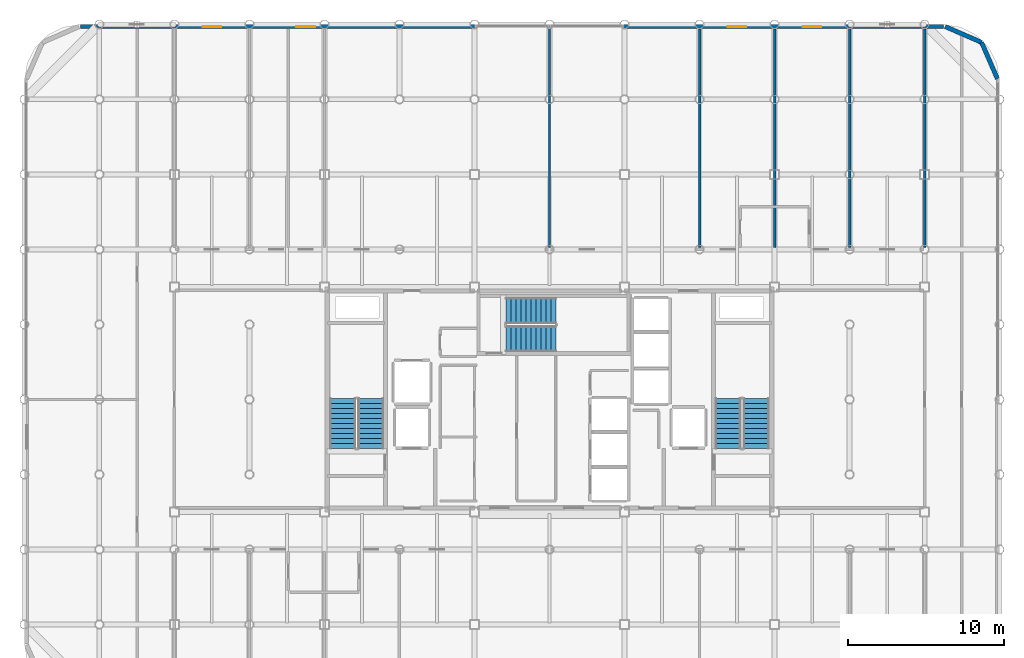
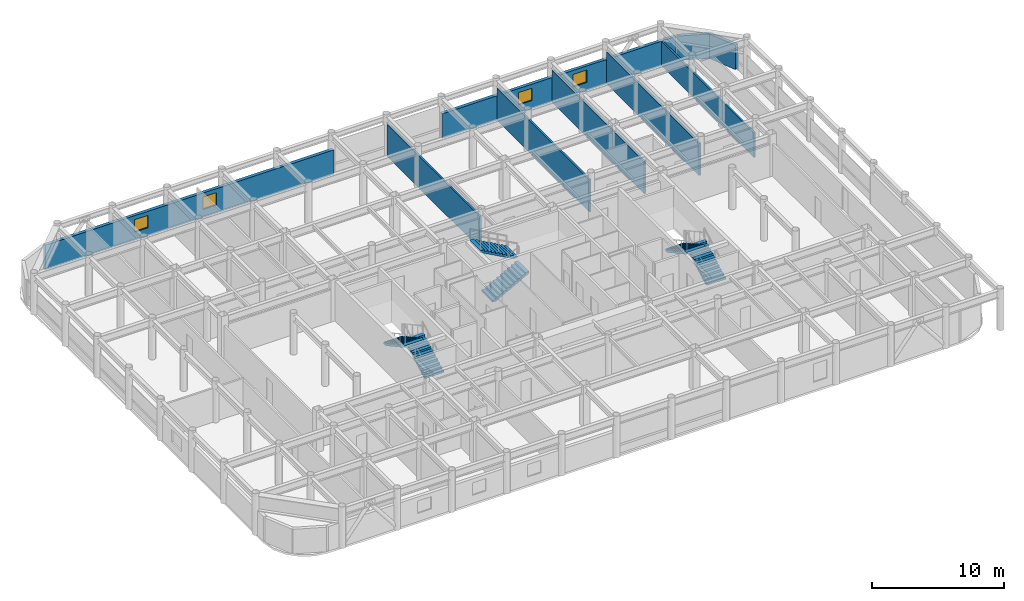
# One storey, part 21 of 22: 9 walls, 6 stair flights, 4 windows, 4 openings, 3 elements without a shape of their own.
"""IFC4 building model written with IfcOpenShell, lengths in metres."""

from ifc_helpers import new_model, si_unit, direction, frame, frame_2d, origin, place, context, subcontext, project, spatial, polyline, rectangle, outline, extrude, material, layer, layer_set, type_object, element, fill, aggregate, save


model = new_model("IFC4")

# Units and contexts
model_context = context("Model", 3, precision=1e-05, world=origin(), true_north=direction((0.0, 1.0)))
body_context = subcontext(model_context, "Body", "Model", "MODEL_VIEW")
ifc_project = project(units=[si_unit("LENGTHUNIT", "METRE"), si_unit("AREAUNIT", "SQUARE_METRE"), si_unit("VOLUMEUNIT", "CUBIC_METRE"), si_unit("PLANEANGLEUNIT", "RADIAN"), si_unit("MASSUNIT", "GRAM", prefix="KILO")], contexts=[model_context])

# Site, building, storey
site_placement = place(None, origin())
site = spatial("IfcSite", under=ifc_project, at=site_placement, CompositionType="ELEMENT")
building_placement = place(site_placement, origin())
building = spatial("IfcBuilding", under=site, at=building_placement, Name="Kallvorn Hotel Tower", CompositionType="ELEMENT")
storey_placement = place(building_placement, frame((0.0, 0.0, 264.64990234375)))
storey = spatial("IfcBuildingStorey", under=building, at=storey_placement, Name="L66", CompositionType="ELEMENT", Elevation=264.64990234375)

# Walls
ifc_material_1 = material(Name="Fire-rated double-layer acoustic gypsum drywall EI 60")
ifc_layer_1 = layer(ifc_material_1, 0.159912109375)
ifc_layer_set_1 = layer_set([ifc_layer_1], Name="WL_DEMISE_160")
wall_type_1 = type_object("IfcWallType", Name="WL_DEMISE_160", PredefinedType="PARTITIONING", material=ifc_layer_set_1)
for number, where, z_axis, x_axis, name in (
    (1, (9.60009765625, 9.719970703125, 0.0), (0.0, 0.0, 1.0), (0.0, 1.0, 0.0), "L66 Suite 6603 Standard King Room Partition"),
    (2, (14.39990234375, 9.719970703125, 0.0), (0.0, 0.0, 1.0), (0.0, 1.0, 0.0), "L66 Suite 6603 Standard King Room Partition"),
    (3, (19.199951171875, 9.719970703125, 0.0), (0.0, 0.0, 1.0), (0.0, 1.0, 0.0), "L66 Suite 6604 Standard King Room Partition"),
):
    element("IfcWall", number, at=place(storey_placement, frame(where, z_axis=z_axis, x_axis=x_axis)), inside=storey, type_object=wall_type_1, Name=name, PredefinedType="PARTITIONING", context=body_context, shape_type="SweptSolid", body=[
        extrude(rectangle(XDim=13.989990234375, YDim=0.159912109375, at=frame_2d((6.9951171875, 0.0))), origin(), (0.0, 0.0, 1.0), 2.97021484375),
    ])
ifc_material_2 = material(Name="Precast basalt-clad insulated concrete wall C40/50", Category="masonry")
ifc_layer_2 = layer(ifc_material_2, 0.280029296875)
ifc_layer_set_2 = layer_set([ifc_layer_2], Name="WL_EXT_LOGGIA_280")
wall_type_2 = type_object("IfcWallType", Name="WL_EXT_LOGGIA_280", PredefinedType="SOLIDWALL", material=ifc_layer_set_2)
wall_1_placement = place(storey_placement, frame((28.657958984375, 20.520751953125, 0.0), z_axis=(0.0, 0.0, 1.0), x_axis=(-0.398792985289, 0.917040977756, 0.0)))
element("IfcWall", 4, at=wall_1_placement, inside=storey, type_object=wall_type_2, Name="L66 Rounded Corner Exterior Wall NE1", PredefinedType="SOLIDWALL", context=body_context, shape_type="SweptSolid", body=[
    extrude(rectangle(XDim=2.536376953125, YDim=0.280029296875, at=frame_2d((1.26806640625, 0.0))), origin(), (0.0, 0.0, 1.0), 2.27001953125),
])
wall_2_placement = place(storey_placement, frame((27.646484375, 22.8466796875, 0.0), z_axis=(0.0, 0.0, 1.0), x_axis=(-0.917060872934, 0.398747232384, 0.0)))
element("IfcWall", 5, at=wall_2_placement, inside=storey, type_object=wall_type_2, Name="L66 Rounded Corner Exterior Wall NE2", PredefinedType="SOLIDWALL", context=body_context, shape_type="SweptSolid", body=[
    extrude(rectangle(XDim=2.5361328125, YDim=0.280029296875, at=frame_2d((1.26806640625, 0.0))), origin(), (0.0, 0.0, 1.0), 2.27001953125),
])

# Wall, openings, windows
wall_3_placement = place(storey_placement, frame((-30.0, 23.860107421875, 0.0), z_axis=(0.0, 0.0, 1.0), x_axis=(1.0, 0.0, 0.0)))
wall_3 = element("IfcWall", 6, at=wall_3_placement, inside=storey, type_object=wall_type_2, Name="L66 Exterior Envelope Wall EW-L66-NW", PredefinedType="SOLIDWALL", context=body_context, shape_type="SweptSolid", body=[
    extrude(rectangle(XDim=25.25, YDim=0.280029296875, at=frame_2d((12.625, 0.0))), origin(), (0.0, 0.0, 1.0), 2.27001953125),
])
opening_1_placement = place(wall_3_placement, frame((7.800048828125, 0.0, 0.75)))
opening_1 = element("IfcOpeningElement", 7, at=opening_1_placement, cuts=wall_3, Name="Opening W06A", PredefinedType="OPENING", context=body_context, shape_type="SweptSolid", body=[
    extrude(rectangle(XDim=1.199951171875, YDim=1.14990234375, at=frame_2d((0.60009765625, 0.574951171875))), frame((0.0, 0.155029296875, 0.0), z_axis=(0.0, -1.0, 0.0), x_axis=(1.0, 0.0, 0.0)), (0.0, 0.0, 1.0), 0.31005859375),
])
opening_2_placement = place(wall_3_placement, frame((13.800048828125, 0.0, 0.75)))
opening_2 = element("IfcOpeningElement", 8, at=opening_2_placement, cuts=wall_3, Name="Opening W06A", PredefinedType="OPENING", context=body_context, shape_type="SweptSolid", body=[
    extrude(rectangle(XDim=1.199951171875, YDim=1.14990234375, at=frame_2d((0.60009765625, 0.574951171875))), frame((0.0, 0.155029296875, 0.0), z_axis=(0.0, -1.0, 0.0), x_axis=(1.0, 0.0, 0.0)), (0.0, 0.0, 1.0), 0.31005859375),
])
ifc_material_3 = material(Name="Triple-glazed low-e acoustic solar-control dark glass", Category="glass")
window_type = type_object("IfcWindowType", Name="WN_HTL_1200x1150", PartitioningType="SINGLE_PANEL", PredefinedType="WINDOW", material=ifc_material_3)
window_1_placement = place(opening_1_placement, origin())
window_1 = element("IfcWindow", 9, at=window_1_placement, inside=storey, type_object=window_type, Name="L66 Guestroom Exterior Window 02", OverallHeight=1.14990234375, OverallWidth=1.199951171875, PartitioningType="SINGLE_PANEL", PredefinedType="WINDOW", context=body_context, shape_type="SweptSolid", body=[
    extrude(rectangle(XDim=1.199951171875, YDim=1.14990234375, at=frame_2d((0.60009765625, 0.574951171875))), frame((0.0, 0.030029296875, 0.0), z_axis=(0.0, -1.0, 0.0), x_axis=(1.0, 0.0, 0.0)), (0.0, 0.0, 1.0), 0.06005859375),
])
fill(opening_1, window_1)
window_2_placement = place(opening_2_placement, origin())
window_2 = element("IfcWindow", 10, at=window_2_placement, inside=storey, type_object=window_type, Name="L66 Guestroom Exterior Window 07", OverallHeight=1.14990234375, OverallWidth=1.199951171875, PartitioningType="SINGLE_PANEL", PredefinedType="WINDOW", context=body_context, shape_type="SweptSolid", body=[
    extrude(rectangle(XDim=1.199951171875, YDim=1.14990234375, at=frame_2d((0.60009765625, 0.574951171875))), frame((0.0, 0.030029296875, 0.0), z_axis=(0.0, -1.0, 0.0), x_axis=(1.0, 0.0, 0.0)), (0.0, 0.0, 1.0), 0.06005859375),
])
fill(opening_2, window_2)

wall_4_placement = place(storey_placement, frame((4.75, 23.860107421875, 0.0), z_axis=(0.0, 0.0, 1.0), x_axis=(1.0, 0.0, 0.0)))
wall_4 = element("IfcWall", 11, at=wall_4_placement, inside=storey, type_object=wall_type_2, Name="L66 Exterior Envelope Wall EW-L66-NE", PredefinedType="SOLIDWALL", context=body_context, shape_type="SweptSolid", body=[
    extrude(rectangle(XDim=20.449951171875, YDim=0.280029296875, at=frame_2d((10.22509765625, 0.0))), origin(), (0.0, 0.0, 1.0), 2.27001953125),
])
opening_3_placement = place(wall_4_placement, frame((6.64990234375, 0.0, 0.75)))
opening_3 = element("IfcOpeningElement", 12, at=opening_3_placement, cuts=wall_4, Name="Opening W06A", PredefinedType="OPENING", context=body_context, shape_type="SweptSolid", body=[
    extrude(rectangle(XDim=1.199951171875, YDim=1.14990234375, at=frame_2d((0.60009765625, 0.574951171875))), frame((0.0, 0.155029296875, 0.0), z_axis=(0.0, -1.0, 0.0), x_axis=(1.0, 0.0, 0.0)), (0.0, 0.0, 1.0), 0.31005859375),
])
opening_4_placement = place(wall_4_placement, frame((11.449951171875, 0.0, 0.75)))
opening_4 = element("IfcOpeningElement", 13, at=opening_4_placement, cuts=wall_4, Name="Opening W06A", PredefinedType="OPENING", context=body_context, shape_type="SweptSolid", body=[
    extrude(rectangle(XDim=1.199951171875, YDim=1.14990234375, at=frame_2d((0.60009765625, 0.574951171875))), frame((0.0, 0.155029296875, 0.0), z_axis=(0.0, -1.0, 0.0), x_axis=(1.0, 0.0, 0.0)), (0.0, 0.0, 1.0), 0.31005859375),
])
window_3_placement = place(opening_3_placement, origin())
window_3 = element("IfcWindow", 14, at=window_3_placement, inside=storey, type_object=window_type, Name="L66 Guestroom Exterior Window 08", OverallHeight=1.14990234375, OverallWidth=1.199951171875, PartitioningType="SINGLE_PANEL", PredefinedType="WINDOW", context=body_context, shape_type="SweptSolid", body=[
    extrude(rectangle(XDim=1.199951171875, YDim=1.14990234375, at=frame_2d((0.60009765625, 0.574951171875))), frame((0.0, 0.030029296875, 0.0), z_axis=(0.0, -1.0, 0.0), x_axis=(1.0, 0.0, 0.0)), (0.0, 0.0, 1.0), 0.06005859375),
])
fill(opening_3, window_3)
window_4_placement = place(opening_4_placement, origin())
window_4 = element("IfcWindow", 15, at=window_4_placement, inside=storey, type_object=window_type, Name="L66 Guestroom Exterior Window 09", OverallHeight=1.14990234375, OverallWidth=1.199951171875, PartitioningType="SINGLE_PANEL", PredefinedType="WINDOW", context=body_context, shape_type="SweptSolid", body=[
    extrude(rectangle(XDim=1.199951171875, YDim=1.14990234375, at=frame_2d((0.60009765625, 0.574951171875))), frame((0.0, 0.030029296875, 0.0), z_axis=(0.0, -1.0, 0.0), x_axis=(1.0, 0.0, 0.0)), (0.0, 0.0, 1.0), 0.06005859375),
])
fill(opening_4, window_4)

# Walls
ifc_material_4 = material(Name="Fire-rated double-layer acoustic gypsum drywall EI 60")
ifc_layer_3 = layer(ifc_material_4, 0.14990234375)
ifc_layer_set_3 = layer_set([ifc_layer_3], Name="WL_PART_150")
wall_type_3 = type_object("IfcWallType", Name="WL_PART_150", PredefinedType="PARTITIONING", material=ifc_layer_set_3)
wall_5_placement = place(storey_placement, frame((0.0, 9.719970703125, 0.0), z_axis=(0.0, 0.0, 1.0), x_axis=(0.0, 1.0, 0.0)))
element("IfcWall", 16, at=wall_5_placement, inside=storey, type_object=wall_type_3, Name="L66 L66 Curated Emerald Craft Retail Boutique 2 Partition", PredefinedType="PARTITIONING", context=body_context, shape_type="SweptSolid", body=[
    extrude(rectangle(XDim=14.074951171875, YDim=0.14990234375, at=frame_2d((7.03759765625, 0.0))), origin(), (0.0, 0.0, 1.0), 2.97021484375),
])
wall_6_placement = place(storey_placement, frame((24.0, 9.719970703125, 0.0), z_axis=(0.0, 0.0, 1.0), x_axis=(0.0, 1.0, 0.0)))
element("IfcWall", 17, at=wall_6_placement, inside=storey, type_object=wall_type_3, Name="L66 L66 High-Zone North-East Pastry Bar Partition", PredefinedType="PARTITIONING", context=body_context, shape_type="SweptSolid", body=[
    extrude(rectangle(XDim=13.989990234375, YDim=0.14990234375, at=frame_2d((6.9951171875, 0.0))), origin(), (0.0, 0.0, 1.0), 2.27001953125),
])

# Stair, stair flights
ifc_material_5 = material(Name="Precast concrete C40/50", Category="concrete")
stair_type = type_object("IfcStairType", Name="STR_CORE_DOGLEG", PredefinedType="HALF_TURN_STAIR", material=ifc_material_5)
stair_1_placement = place(storey_placement, origin())
stair_1 = element("IfcStair", 18, at=stair_1_placement, inside=storey, type_object=stair_type, Name="L66 Exit stair ST1", PredefinedType="HALF_TURN_STAIR")
ifc_material_6 = material(Name="Precast concrete C40/50", Category="concrete")
stair_flight_type = type_object("IfcStairFlightType", Name="FLT_CORE_1660", PredefinedType="STRAIGHT", material=ifc_material_6)
stair_flight_1_placement = place(storey_placement, frame((-11.429931640625, -3.139892578125, 0.0), z_axis=(0.0, 0.0, 1.0), x_axis=(0.0, 1.0, 0.0)))
stair_flight_1 = element("IfcStairFlight", 19, at=stair_flight_1_placement, type_object=stair_flight_type, Name="ST1 flight 1", NumberOfRisers=11, NumberOfTreads=10, PredefinedType="STRAIGHT", RiserHeight=0.175, TreadLength=0.32, context=body_context, shape_type="SweptSolid", body=[
    extrude(outline(polyline([(0.0, 0.0), (0.0, 0.175048828125), (0.320068359375, 0.175048828125), (0.320068359375, 0.35009765625), (0.639892578125, 0.35009765625), (0.639892578125, 0.52490234375), (0.9599609375, 0.52490234375), (0.9599609375, 0.699951171875), (1.280029296875, 0.699951171875), (1.280029296875, 0.875), (1.60009765625, 0.875), (1.60009765625, 1.050048828125), (1.919921875, 1.050048828125), (1.919921875, 1.22509765625), (2.239990234375, 1.22509765625), (2.239990234375, 1.39990234375), (2.56005859375, 1.39990234375), (2.56005859375, 1.574951171875), (2.8798828125, 1.574951171875), (2.8798828125, 1.75), (3.199951171875, 1.75), (3.199951171875, 1.925048828125), (3.199951171875, 1.5791015625), (0.3125, 0.0), (0.0, 0.0)])), frame((0.0, 0.830078125, 0.0), z_axis=(0.0, -1.0, 0.0), x_axis=(1.0, 0.0, 0.0)), (0.0, 0.0, 1.0), 1.659912109375),
])
stair_flight_2_placement = place(storey_placement, frame((-13.22998046875, 0.06005859375, 1.925048828125), z_axis=(0.0, 0.0, 1.0), x_axis=(0.0, -1.0, 0.0)))
stair_flight_2 = element("IfcStairFlight", 20, at=stair_flight_2_placement, type_object=stair_flight_type, Name="ST1 flight 2", NumberOfRisers=11, NumberOfTreads=10, PredefinedType="STRAIGHT", RiserHeight=0.175, TreadLength=0.32, context=body_context, shape_type="SweptSolid", body=[
    extrude(outline(polyline([(0.0, 0.0), (0.0, 0.175048828125), (0.320068359375, 0.175048828125), (0.320068359375, 0.35009765625), (0.639892578125, 0.35009765625), (0.639892578125, 0.52490234375), (0.9599609375, 0.52490234375), (0.9599609375, 0.699951171875), (1.280029296875, 0.699951171875), (1.280029296875, 0.875), (1.60009765625, 0.875), (1.60009765625, 1.050048828125), (1.919921875, 1.050048828125), (1.919921875, 1.22509765625), (2.239990234375, 1.22509765625), (2.239990234375, 1.39990234375), (2.56005859375, 1.39990234375), (2.56005859375, 1.574951171875), (2.8798828125, 1.574951171875), (2.8798828125, 1.75), (3.199951171875, 1.75), (3.199951171875, 1.925048828125), (3.199951171875, 1.5791015625), (0.3125, 0.0), (0.0, 0.0)])), frame((0.0, 0.830078125, 0.0), z_axis=(0.0, -1.0, 0.0), x_axis=(1.0, 0.0, 0.0)), (0.0, 0.0, 1.0), 1.659912109375),
])
aggregate(stair_1, [stair_flight_1, stair_flight_2])

stair_2_placement = place(storey_placement, origin())
stair_2 = element("IfcStair", 21, at=stair_2_placement, inside=storey, type_object=stair_type, Name="L66 Exit stair ST2", PredefinedType="HALF_TURN_STAIR")
stair_flight_3_placement = place(storey_placement, frame((13.22998046875, -3.139892578125, 0.0), z_axis=(0.0, 0.0, 1.0), x_axis=(0.0, 1.0, 0.0)))
stair_flight_3 = element("IfcStairFlight", 22, at=stair_flight_3_placement, type_object=stair_flight_type, Name="ST2 flight 1", NumberOfRisers=11, NumberOfTreads=10, PredefinedType="STRAIGHT", RiserHeight=0.175, TreadLength=0.32, context=body_context, shape_type="SweptSolid", body=[
    extrude(outline(polyline([(0.0, 0.0), (0.0, 0.175048828125), (0.320068359375, 0.175048828125), (0.320068359375, 0.35009765625), (0.639892578125, 0.35009765625), (0.639892578125, 0.52490234375), (0.9599609375, 0.52490234375), (0.9599609375, 0.699951171875), (1.280029296875, 0.699951171875), (1.280029296875, 0.875), (1.60009765625, 0.875), (1.60009765625, 1.050048828125), (1.919921875, 1.050048828125), (1.919921875, 1.22509765625), (2.239990234375, 1.22509765625), (2.239990234375, 1.39990234375), (2.56005859375, 1.39990234375), (2.56005859375, 1.574951171875), (2.8798828125, 1.574951171875), (2.8798828125, 1.75), (3.199951171875, 1.75), (3.199951171875, 1.925048828125), (3.199951171875, 1.5791015625), (0.3125, 0.0), (0.0, 0.0)])), frame((0.0, 0.830078125, 0.0), z_axis=(0.0, -1.0, 0.0), x_axis=(1.0, 0.0, 0.0)), (0.0, 0.0, 1.0), 1.659912109375),
])
stair_flight_4_placement = place(storey_placement, frame((11.429931640625, 0.06005859375, 1.925048828125), z_axis=(0.0, 0.0, 1.0), x_axis=(0.0, -1.0, 0.0)))
stair_flight_4 = element("IfcStairFlight", 23, at=stair_flight_4_placement, type_object=stair_flight_type, Name="ST2 flight 2", NumberOfRisers=11, NumberOfTreads=10, PredefinedType="STRAIGHT", RiserHeight=0.175, TreadLength=0.32, context=body_context, shape_type="SweptSolid", body=[
    extrude(outline(polyline([(0.0, 0.0), (0.0, 0.175048828125), (0.320068359375, 0.175048828125), (0.320068359375, 0.35009765625), (0.639892578125, 0.35009765625), (0.639892578125, 0.52490234375), (0.9599609375, 0.52490234375), (0.9599609375, 0.699951171875), (1.280029296875, 0.699951171875), (1.280029296875, 0.875), (1.60009765625, 0.875), (1.60009765625, 1.050048828125), (1.919921875, 1.050048828125), (1.919921875, 1.22509765625), (2.239990234375, 1.22509765625), (2.239990234375, 1.39990234375), (2.56005859375, 1.39990234375), (2.56005859375, 1.574951171875), (2.8798828125, 1.574951171875), (2.8798828125, 1.75), (3.199951171875, 1.75), (3.199951171875, 1.925048828125), (3.199951171875, 1.5791015625), (0.3125, 0.0), (0.0, 0.0)])), frame((0.0, 0.830078125, 0.0), z_axis=(0.0, -1.0, 0.0), x_axis=(1.0, 0.0, 0.0)), (0.0, 0.0, 1.0), 1.659912109375),
])
aggregate(stair_2, [stair_flight_3, stair_flight_4])

stair_3_placement = place(storey_placement, origin())
stair_3 = element("IfcStair", 24, at=stair_3_placement, inside=storey, type_object=stair_type, Name="L66 Exit stair ST3", PredefinedType="HALF_TURN_STAIR")
stair_flight_5_placement = place(storey_placement, frame((-2.7900390625, 3.8798828125, 0.0), z_axis=(0.0, 0.0, 1.0), x_axis=(1.0, 0.0, 0.0)))
stair_flight_5 = element("IfcStairFlight", 25, at=stair_flight_5_placement, type_object=stair_flight_type, Name="ST3 flight 1", NumberOfRisers=11, NumberOfTreads=10, PredefinedType="STRAIGHT", RiserHeight=0.175, TreadLength=0.32, context=body_context, shape_type="SweptSolid", body=[
    extrude(outline(polyline([(0.0, 0.0), (0.0, 0.175048828125), (0.320068359375, 0.175048828125), (0.320068359375, 0.35009765625), (0.639892578125, 0.35009765625), (0.639892578125, 0.52490234375), (0.9599609375, 0.52490234375), (0.9599609375, 0.699951171875), (1.280029296875, 0.699951171875), (1.280029296875, 0.875), (1.60009765625, 0.875), (1.60009765625, 1.050048828125), (1.919921875, 1.050048828125), (1.919921875, 1.22509765625), (2.239990234375, 1.22509765625), (2.239990234375, 1.39990234375), (2.56005859375, 1.39990234375), (2.56005859375, 1.574951171875), (2.8798828125, 1.574951171875), (2.8798828125, 1.75), (3.199951171875, 1.75), (3.199951171875, 1.925048828125), (3.199951171875, 1.5791015625), (0.3125, 0.0), (0.0, 0.0)])), frame((0.0, 0.830078125, 0.0), z_axis=(0.0, -1.0, 0.0), x_axis=(1.0, 0.0, 0.0)), (0.0, 0.0, 1.0), 1.659912109375),
])
stair_flight_6_placement = place(storey_placement, frame((0.409912109375, 5.679931640625, 1.925048828125), z_axis=(0.0, 0.0, 1.0), x_axis=(-1.0, 0.0, 0.0)))
stair_flight_6 = element("IfcStairFlight", 26, at=stair_flight_6_placement, type_object=stair_flight_type, Name="ST3 flight 2", NumberOfRisers=11, NumberOfTreads=10, PredefinedType="STRAIGHT", RiserHeight=0.175, TreadLength=0.32, context=body_context, shape_type="SweptSolid", body=[
    extrude(outline(polyline([(0.0, 0.0), (0.0, 0.175048828125), (0.320068359375, 0.175048828125), (0.320068359375, 0.35009765625), (0.639892578125, 0.35009765625), (0.639892578125, 0.52490234375), (0.9599609375, 0.52490234375), (0.9599609375, 0.699951171875), (1.280029296875, 0.699951171875), (1.280029296875, 0.875), (1.60009765625, 0.875), (1.60009765625, 1.050048828125), (1.919921875, 1.050048828125), (1.919921875, 1.22509765625), (2.239990234375, 1.22509765625), (2.239990234375, 1.39990234375), (2.56005859375, 1.39990234375), (2.56005859375, 1.574951171875), (2.8798828125, 1.574951171875), (2.8798828125, 1.75), (3.199951171875, 1.75), (3.199951171875, 1.925048828125), (3.199951171875, 1.5791015625), (0.3125, 0.0), (0.0, 0.0)])), frame((0.0, 0.830078125, 0.0), z_axis=(0.0, -1.0, 0.0), x_axis=(1.0, 0.0, 0.0)), (0.0, 0.0, 1.0), 1.659912109375),
])
aggregate(stair_3, [stair_flight_5, stair_flight_6])

save(model, "model.ifc")
